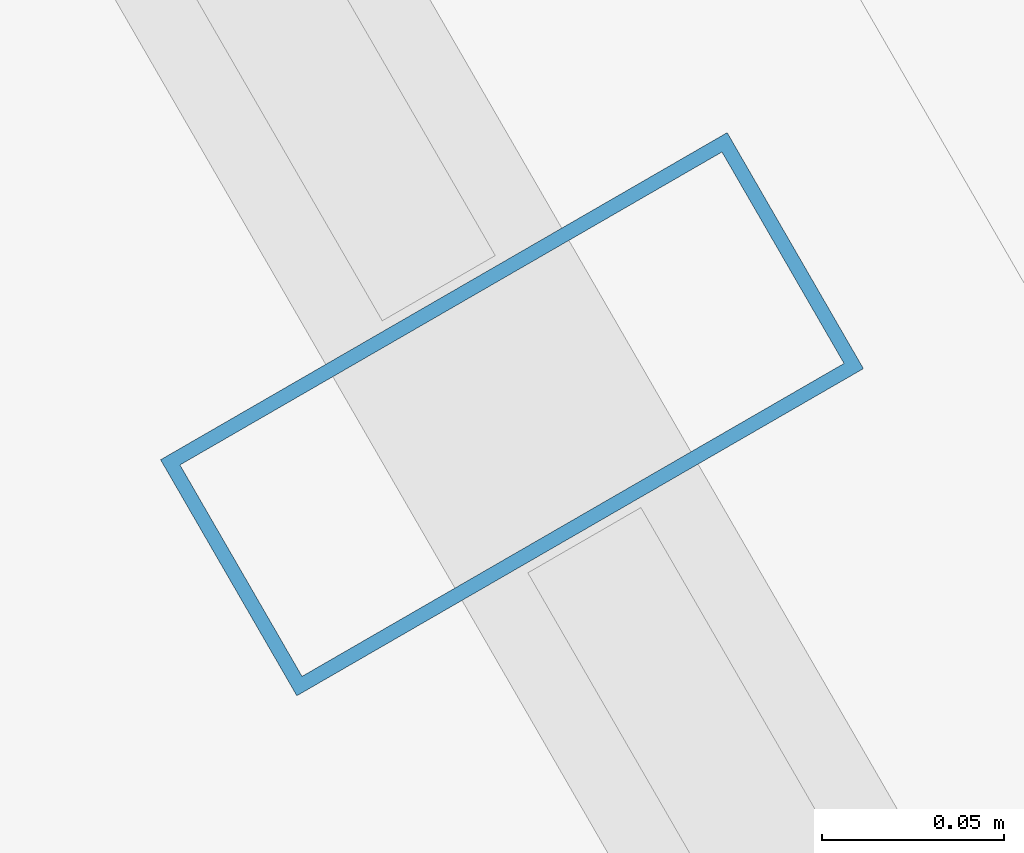
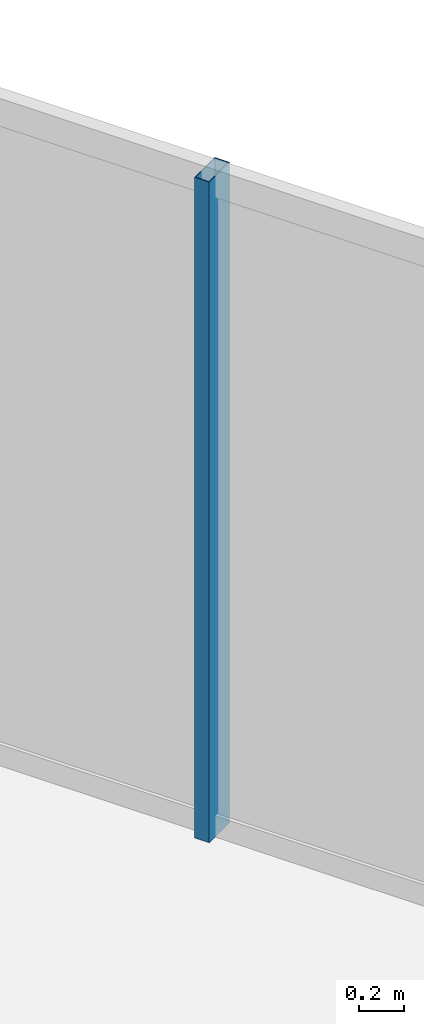
# One storey, part 20 of 33: 1 member, 1 element without a shape of its own.
"""IFC4 building model written with IfcOpenShell, lengths in metres."""

from ifc_helpers import new_model, si_unit, direction, frame, origin, origin_2d, place, context, subcontext, project, spatial, hollow_rectangle, extrude, material, layer, layer_set, material_profile, profile_set, type_object, element, aggregate, save


model = new_model("IFC4")

# Units and contexts
model_context = context("Model", 3, precision=1e-05, world=origin(), true_north=direction((0.0, 1.0)))
body_context = subcontext(model_context, "Body", "Model", "MODEL_VIEW")
ifc_project = project(units=[si_unit("LENGTHUNIT", "METRE"), si_unit("AREAUNIT", "SQUARE_METRE"), si_unit("VOLUMEUNIT", "CUBIC_METRE"), si_unit("PLANEANGLEUNIT", "RADIAN"), si_unit("MASSUNIT", "GRAM", prefix="KILO")], contexts=[model_context])

# Site, building, storey
site_placement = place(None, origin())
site = spatial("IfcSite", under=ifc_project, at=site_placement, CompositionType="ELEMENT")
building_placement = place(site_placement, origin())
building = spatial("IfcBuilding", under=site, at=building_placement, Name="Ndaravel Arena Tower", CompositionType="ELEMENT")
storey_placement = place(building_placement, frame((0.0, 0.0, 149.800048828125)))
storey = spatial("IfcBuildingStorey", under=building, at=storey_placement, Name="L35", CompositionType="ELEMENT", Elevation=149.800048828125)

# Curtain wall, member
ifc_material_1 = material(Name="Aluminium", Category="aluminium")
ifc_layer = layer(ifc_material_1, 0.179931640625)
ifc_layer_set = layer_set([ifc_layer], Name="Aluminium")
curtain_wall_type = type_object("IfcCurtainWallType", Name="CW-SYS-03", PredefinedType="NOTDEFINED", material=ifc_layer_set)
curtain_wall_placement = place(storey_placement, origin())
curtain_wall = element("IfcCurtainWall", 1, at=curtain_wall_placement, inside=storey, type_object=curtain_wall_type, Name="L35 Faceted Crystal Curtain Wall CW-L35-E03", PredefinedType="NOTDEFINED")
ifc_material_2 = material(Name="Aluminium", Category="aluminium")
ifc_material_profile = material_profile(ifc_material_2, hollow_rectangle(XDim=0.074951171875, YDim=0.179931640625, WallThickness=0.00390625, at=origin_2d()), Name="CW MULLION 75x180x4")
ifc_profile_set = profile_set([ifc_material_profile], Name="Aluminium")
member_type = type_object("IfcMemberType", Name="MEM-CW-MUL180", PredefinedType="MULLION", material=ifc_profile_set)
member_placement = place(storey_placement, frame((54.370361328125, 34.4130859375, 0.0), z_axis=(0.0, 0.0, 1.0), x_axis=(-0.5, 0.866025403784, 0.0)))
member = element("IfcMember", 2, at=member_placement, type_object=member_type, Name="CW-L35-E03 Mullion 05", PredefinedType="MULLION", context=body_context, shape_type="SweptSolid", body=[
    extrude(hollow_rectangle(XDim=0.074951171875, YDim=0.179931640625, WallThickness=0.00390625, at=origin_2d()), origin(), (0.0, 0.0, 1.0), 3.579833984375),
])
aggregate(curtain_wall, [member])

save(model, "model.ifc")
